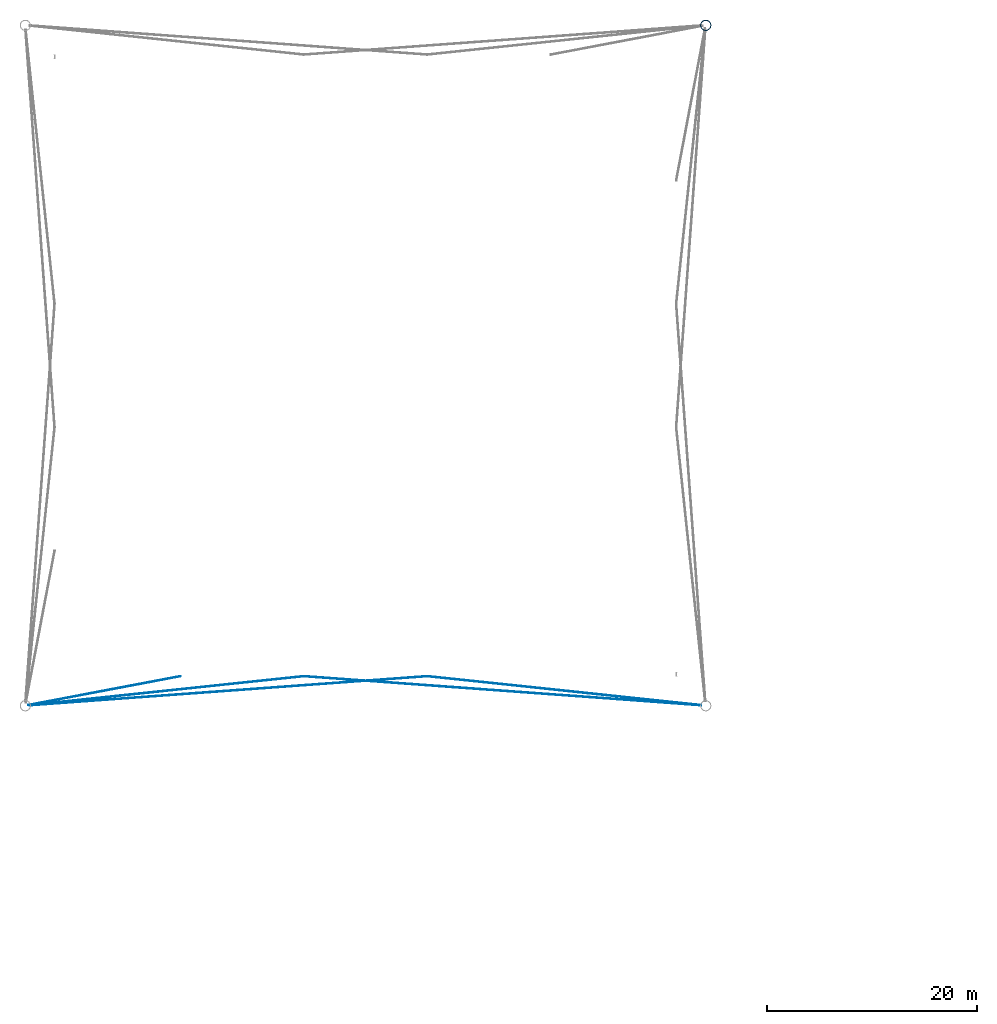
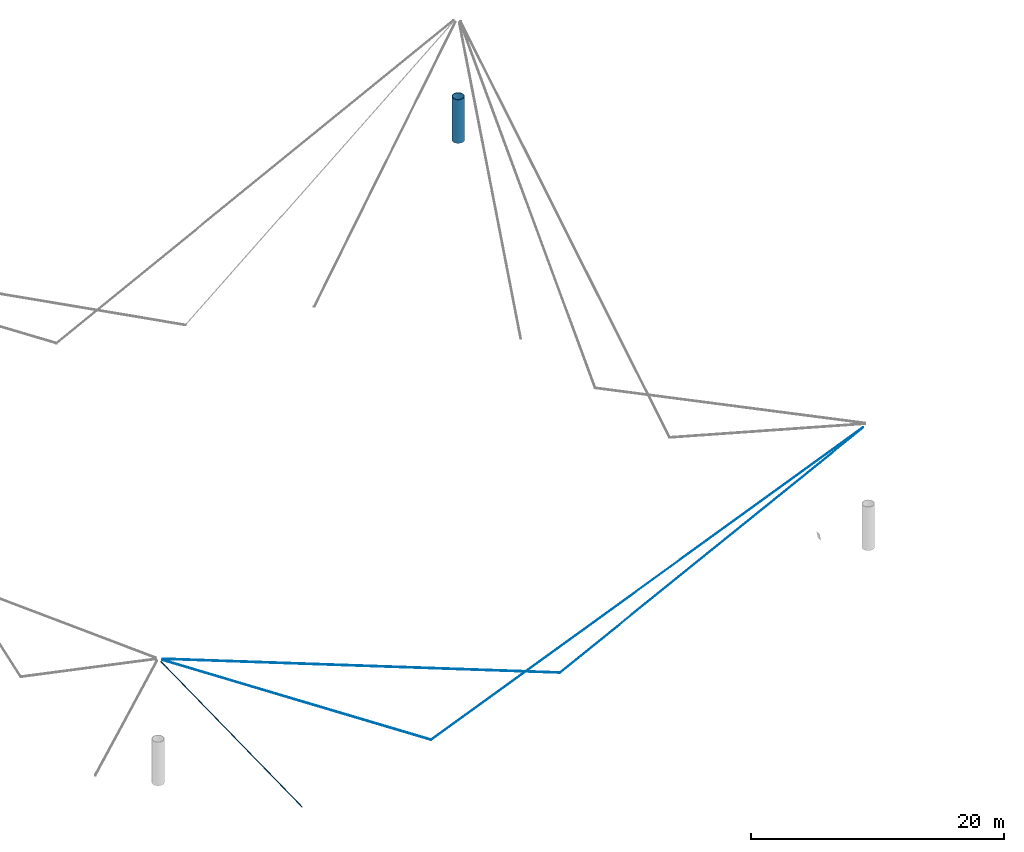
# One storey, part 7 of 18: 5 members, 1 column.
"""IFC4 building model written with IfcOpenShell, lengths in metres."""

from ifc_helpers import new_model, si_unit, direction, frame, origin, origin_2d, place, context, subcontext, project, spatial, circle, hollow_circle, extrude, material, material_profile, profile_set, type_object, element, save


model = new_model("IFC4")

# Units and contexts
model_context = context("Model", 3, precision=1e-05, world=origin(), true_north=direction((0.0, 1.0)))
body_context = subcontext(model_context, "Body", "Model", "MODEL_VIEW")
ifc_project = project(units=[si_unit("LENGTHUNIT", "METRE"), si_unit("AREAUNIT", "SQUARE_METRE"), si_unit("VOLUMEUNIT", "CUBIC_METRE"), si_unit("PLANEANGLEUNIT", "RADIAN"), si_unit("MASSUNIT", "GRAM", prefix="KILO")], contexts=[model_context])

# Site, building, storey
site_placement = place(None, origin())
site = spatial("IfcSite", under=ifc_project, at=site_placement, CompositionType="ELEMENT")
building_placement = place(site_placement, origin())
building = spatial("IfcBuilding", under=site, at=building_placement, Name="Cresset Court Congress Hotel", CompositionType="ELEMENT")
storey_placement = place(building_placement, frame((0.0, 0.0, 35.39990234375)))
storey = spatial("IfcBuildingStorey", under=building, at=storey_placement, Name="L08", CompositionType="ELEMENT", Elevation=35.39990234375)

# Column
ifc_material_1 = material(Name="Structural steel Q355B", Category="steel")
ifc_material_profile_1 = material_profile(ifc_material_1, hollow_circle(Radius=0.508056640625, WallThickness=0.050048828125, at=origin_2d()), Name="CHS1016x50")
ifc_profile_set_1 = profile_set([ifc_material_profile_1], Name="Structural steel Q355B")
column_type = type_object("IfcColumnType", Name="Mast tube 1016x50", PredefinedType="COLUMN", material=ifc_profile_set_1)
column_placement = place(storey_placement, frame((120.60009765625, 120.60009765625, 0.0), z_axis=(0.0, 0.0, 1.0), x_axis=(1.0, 0.0, 0.0)))
element("IfcColumn", 1, at=column_placement, inside=storey, type_object=column_type, Name="Mast M3", PredefinedType="COLUMN", context=body_context, shape_type="SweptSolid", body=[
    extrude(hollow_circle(Radius=0.508056640625, WallThickness=0.050048828125, at=origin_2d()), origin(), (0.0, 0.0, 1.0), 4.2001953125),
])

# Members
ifc_material_2 = material(Name="Structural steel Q355B", Category="steel")
ifc_material_profile_2 = material_profile(ifc_material_2, circle(Radius=0.030029296875, at=origin_2d()), Name="CABLE60")
ifc_profile_set_2 = profile_set([ifc_material_profile_2], Name="Structural steel Q355B")
member_type = type_object("IfcMemberType", Name="Stay cable 60", PredefinedType="USERDEFINED", material=ifc_profile_set_2)
member_1_placement = place(storey_placement, frame((56.0888671875, 55.854736328125, 11.48583984375), z_axis=(0.568666851386, 0.107882043232, -0.815462737888), x_axis=(-0.186386072471, 0.982476580886, 0.0)))
element("IfcMember", 2, at=member_1_placement, inside=storey, type_object=member_type, Name="Stay cable M1-S1", ObjectType="CABLE", PredefinedType="USERDEFINED", context=body_context, shape_type="SweptSolid", body=[
    extrude(circle(Radius=0.030029296875, at=origin_2d()), origin(), (0.0, 0.0, 1.0), 25.443359375),
])
member_2_placement = place(storey_placement, frame((56.212890625, 55.843505859375, 11.607421875), z_axis=(0.812715952141, 0.085808684765, -0.576306906738), x_axis=(-0.104999000233, 0.994472327393, 0.0)))
element("IfcMember", 3, at=member_2_placement, inside=storey, type_object=member_type, Name="Stay cable M1-S2", ObjectType="CABLE", PredefinedType="USERDEFINED", context=body_context, shape_type="SweptSolid", body=[
    extrude(circle(Radius=0.030029296875, at=origin_2d()), origin(), (0.0, 0.0, 1.0), 32.119140625),
])
member_3_placement = place(storey_placement, frame((56.265625, 55.833984375, 11.699951171875), z_axis=(0.916733078293, 0.067059261743, -0.393831840483), x_axis=(-0.072955328483, 0.997335209469, 0.0)))
element("IfcMember", 4, at=member_3_placement, inside=storey, type_object=member_type, Name="Stay cable M1-S3", ObjectType="CABLE", PredefinedType="USERDEFINED", context=body_context, shape_type="SweptSolid", body=[
    extrude(circle(Radius=0.030029296875, at=origin_2d()), origin(), (0.0, 0.0, 1.0), 41.2451171875),
])
member_4_placement = place(storey_placement, frame((120.169921875, 55.845458984375, 11.633544921875), z_axis=(-0.846455902689, 0.08936704762, -0.524905644475), x_axis=(-0.104994364499, -0.994472816835, 0.0)))
element("IfcMember", 5, at=member_4_placement, inside=storey, type_object=member_type, Name="Stay cable M2-S2", ObjectType="CABLE", PredefinedType="USERDEFINED", context=body_context, shape_type="SweptSolid", body=[
    extrude(circle(Radius=0.030029296875, at=origin_2d()), origin(), (0.0, 0.0, 1.0), 30.818359375),
])
member_5_placement = place(storey_placement, frame((120.14501953125, 55.833251953125, 11.676513671875), z_axis=(-0.895615993405, 0.065513277673, -0.439977275329), x_axis=(-0.072953928582, -0.997335311871, 0.0)))
element("IfcMember", 6, at=member_5_placement, inside=storey, type_object=member_type, Name="Stay cable M2-S3", ObjectType="CABLE", PredefinedType="USERDEFINED", context=body_context, shape_type="SweptSolid", body=[
    extrude(circle(Radius=0.030029296875, at=origin_2d()), origin(), (0.0, 0.0, 1.0), 42.229736328125),
])

save(model, "model.ifc")
